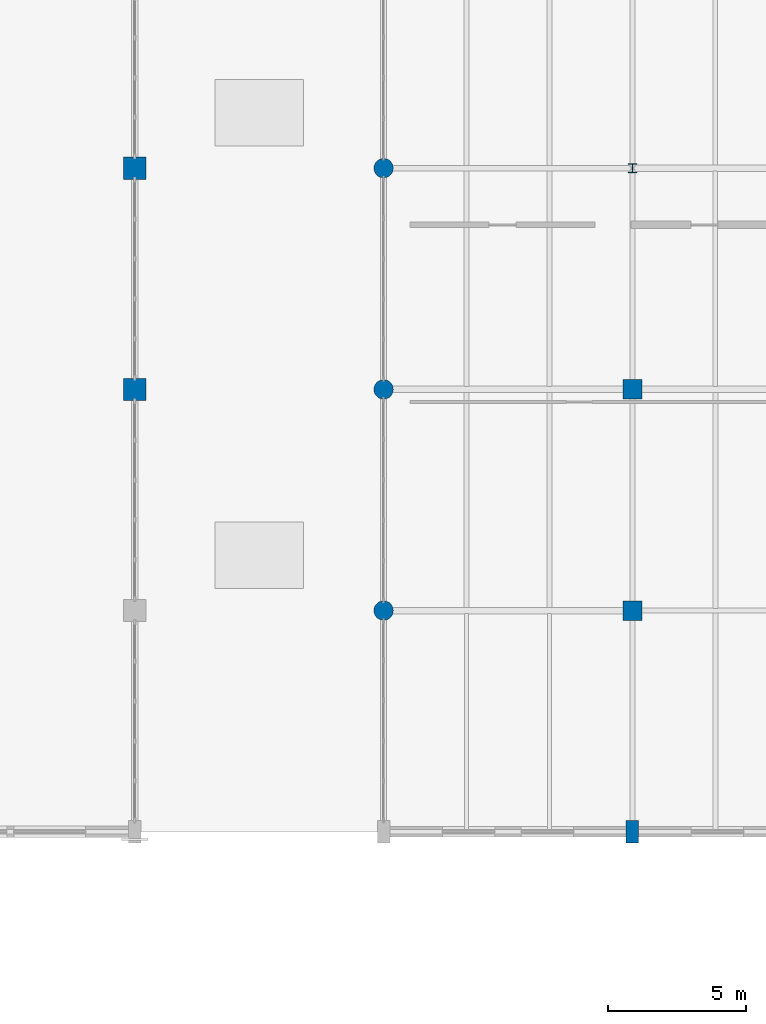
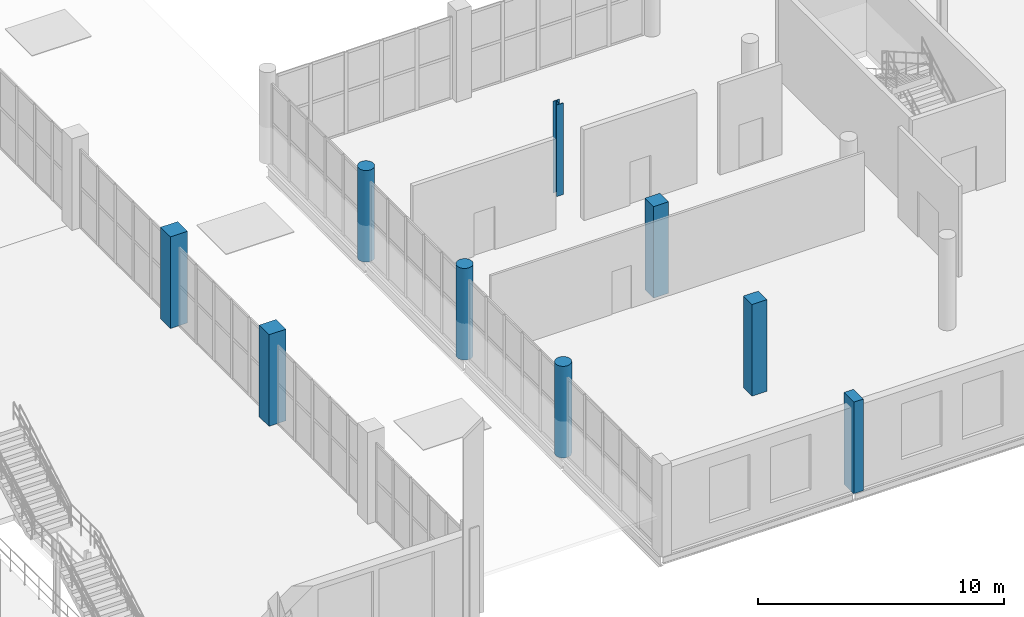
# One storey, part 8 of 93: 9 columns.
"""IFC4 building model written with IfcOpenShell, lengths in metres."""

from ifc_helpers import new_model, si_unit, direction, frame, origin, origin_2d, place, context, subcontext, project, spatial, rectangle, circle, i_section, extrude, material, material_profile, profile_set, type_object, element, save


model = new_model("IFC4")

# Units and contexts
model_context = context("Model", 3, precision=1e-05, world=origin(), true_north=direction((0.0, 1.0)))
body_context = subcontext(model_context, "Body", "Model", "MODEL_VIEW")
ifc_project = project(units=[si_unit("LENGTHUNIT", "METRE"), si_unit("AREAUNIT", "SQUARE_METRE"), si_unit("VOLUMEUNIT", "CUBIC_METRE"), si_unit("PLANEANGLEUNIT", "RADIAN"), si_unit("MASSUNIT", "GRAM", prefix="KILO")], contexts=[model_context])

# Site, building, storey
site_placement = place(None, origin())
site = spatial("IfcSite", under=ifc_project, at=site_placement, CompositionType="ELEMENT")
building_placement = place(site_placement, origin())
building = spatial("IfcBuilding", under=site, at=building_placement, Name="Marnock Terrace Opera House", CompositionType="ELEMENT")
storey_placement = place(building_placement, frame((0.0, 0.0, 5.39990234375)))
storey = spatial("IfcBuildingStorey", under=building, at=storey_placement, Name="L01", CompositionType="ELEMENT", Elevation=5.39990234375)

# Columns
ifc_material_1 = material(Name="Concrete N40 (f'c = 40 MPa)", Category="concrete")
ifc_material_profile_1 = material_profile(ifc_material_1, circle(Radius=0.35009765625, at=origin_2d()))
ifc_profile_set_1 = profile_set([ifc_material_profile_1], Name="Concrete N40 (f'c = 40 MPa)")
column_type_1 = type_object("IfcColumnType", Name="COL-LOGGIA-700", PredefinedType="COLUMN", material=ifc_profile_set_1)
for number, where, z_axis, x_axis, name in (
    (1, (118.0, 16.0, 0.0), (0.0, 0.0, 1.0), (1.0, 0.0, 0.0), "L01 column at (118.0, 16.0)"),
    (2, (118.0, 24.0, 0.0), (0.0, 0.0, 1.0), (1.0, 0.0, 0.0), "L01 column at (118.0, 24.0)"),
    (3, (118.0, 32.0, 0.0), (0.0, 0.0, 1.0), (1.0, 0.0, 0.0), "L01 column at (118.0, 32.0)"),
):
    element("IfcColumn", number, at=place(storey_placement, frame(where, z_axis=z_axis, x_axis=x_axis)), inside=storey, type_object=column_type_1, Name=name, PredefinedType="COLUMN", context=body_context, shape_type="SweptSolid", body=[
        extrude(circle(Radius=0.35009765625, at=origin_2d()), origin(), (0.0, 0.0, 1.0), 4.5400390625),
    ])
ifc_material_profile_2 = material_profile(ifc_material_1, rectangle(XDim=0.449951171875, YDim=0.800048828125, at=origin_2d()))
ifc_profile_set_2 = profile_set([ifc_material_profile_2], Name="Concrete N40 (f'c = 40 MPa)")
column_type_2 = type_object("IfcColumnType", Name="COL-PIL-800", PredefinedType="PILASTER", material=ifc_profile_set_2)
column_1_placement = place(storey_placement, frame((127.0, 8.0, 0.0), z_axis=(0.0, 0.0, 1.0), x_axis=(1.0, 0.0, 0.0)))
element("IfcColumn", 4, at=column_1_placement, inside=storey, type_object=column_type_2, Name="L01 column at (127.0, 8.0)", PredefinedType="PILASTER", context=body_context, shape_type="SweptSolid", body=[
    extrude(rectangle(XDim=0.449951171875, YDim=0.800048828125, at=origin_2d()), origin(), (0.0, 0.0, 1.0), 4.5400390625),
])
ifc_material_profile_3 = material_profile(ifc_material_1, rectangle(XDim=0.699951171875, YDim=0.699951171875, at=origin_2d()))
ifc_profile_set_3 = profile_set([ifc_material_profile_3], Name="Concrete N40 (f'c = 40 MPa)")
column_type_3 = type_object("IfcColumnType", Name="COL-RC700", PredefinedType="COLUMN", material=ifc_profile_set_3)
for number, where, z_axis, x_axis, name in (
    (5, (127.0, 16.0, 0.0), (0.0, 0.0, 1.0), (1.0, 0.0, 0.0), "L01 column at (127.0, 16.0)"),
    (6, (127.0, 24.0, 0.0), (0.0, 0.0, 1.0), (1.0, 0.0, 0.0), "L01 column at (127.0, 24.0)"),
):
    element("IfcColumn", number, at=place(storey_placement, frame(where, z_axis=z_axis, x_axis=x_axis)), inside=storey, type_object=column_type_3, Name=name, PredefinedType="COLUMN", context=body_context, shape_type="SweptSolid", body=[
        extrude(rectangle(XDim=0.699951171875, YDim=0.699951171875, at=origin_2d()), origin(), (0.0, 0.0, 1.0), 4.5400390625),
    ])
ifc_material_2 = material(Name="Concrete N50 (f'c = 50 MPa)", Category="concrete")
ifc_material_profile_4 = material_profile(ifc_material_2, rectangle(XDim=0.800048828125, YDim=0.800048828125, at=origin_2d()))
ifc_profile_set_4 = profile_set([ifc_material_profile_4], Name="Concrete N50 (f'c = 50 MPa)")
column_type_4 = type_object("IfcColumnType", Name="COL-RC800", PredefinedType="COLUMN", material=ifc_profile_set_4)
for number, where, z_axis, x_axis, name in (
    (7, (109.0, 24.0, 0.0), (0.0, 0.0, 1.0), (1.0, 0.0, 0.0), "L01 column at (109.0, 24.0)"),
    (8, (109.0, 32.0, 0.0), (0.0, 0.0, 1.0), (1.0, 0.0, 0.0), "L01 column at (109.0, 32.0)"),
):
    element("IfcColumn", number, at=place(storey_placement, frame(where, z_axis=z_axis, x_axis=x_axis)), inside=storey, type_object=column_type_4, Name=name, PredefinedType="COLUMN", context=body_context, shape_type="SweptSolid", body=[
        extrude(rectangle(XDim=0.800048828125, YDim=0.800048828125, at=origin_2d()), origin(), (0.0, 0.0, 1.0), 4.5400390625),
    ])
ifc_material_3 = material(Name="Steel Grade 350 (AS/NZS 3679.1)", Category="steel")
ifc_material_profile_5 = material_profile(ifc_material_3, i_section(OverallWidth=0.30908203125, OverallDepth=0.320556640625, WebThickness=0.013916015625, FlangeThickness=0.021728515625, FilletRadius=0.0166015625, at=origin_2d()))
ifc_profile_set_5 = profile_set([ifc_material_profile_5], Name="Steel Grade 350 (AS/NZS 3679.1)")
column_type_5 = type_object("IfcColumnType", Name="COL-UC310B", PredefinedType="COLUMN", material=ifc_profile_set_5)
column_2_placement = place(storey_placement, frame((127.0, 32.0, 0.0), z_axis=(0.0, 0.0, 1.0), x_axis=(1.0, 0.0, 0.0)))
element("IfcColumn", 9, at=column_2_placement, inside=storey, type_object=column_type_5, Name="L01 column at (127.0, 32.0)", PredefinedType="COLUMN", context=body_context, shape_type="SweptSolid", body=[
    extrude(i_section(OverallWidth=0.30908203125, OverallDepth=0.320556640625, WebThickness=0.013916015625, FlangeThickness=0.021728515625, FilletRadius=0.0166015625, at=origin_2d()), origin(), (0.0, 0.0, 1.0), 4.5400390625),
])

save(model, "model.ifc")
